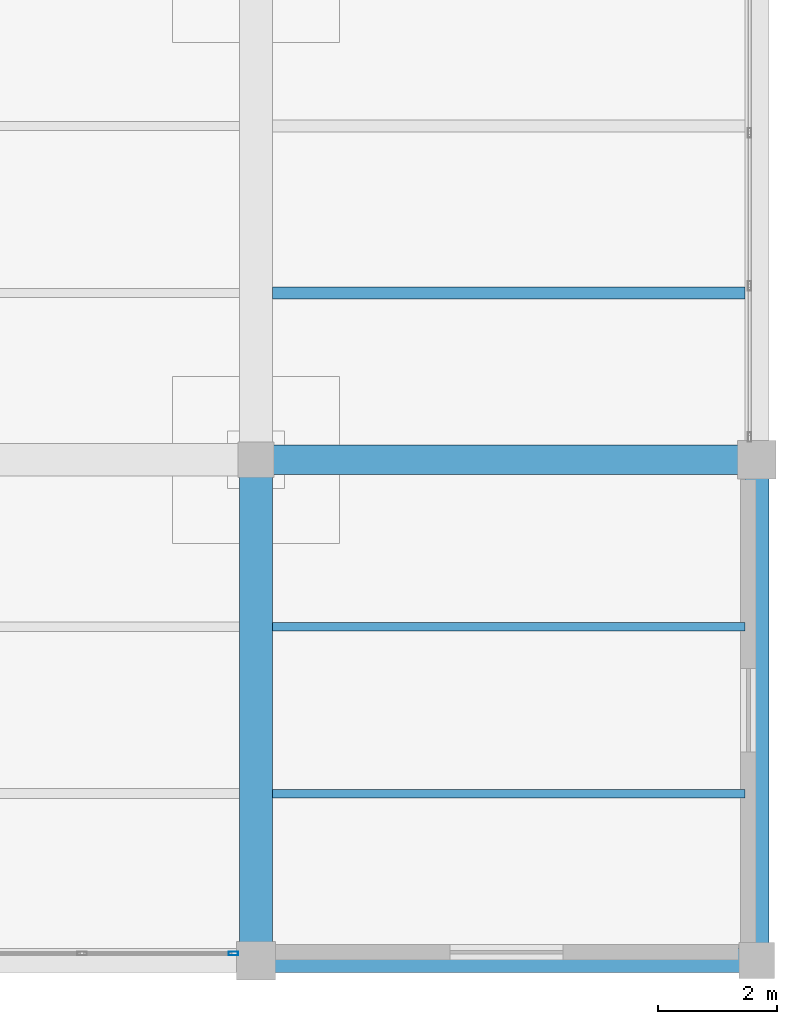
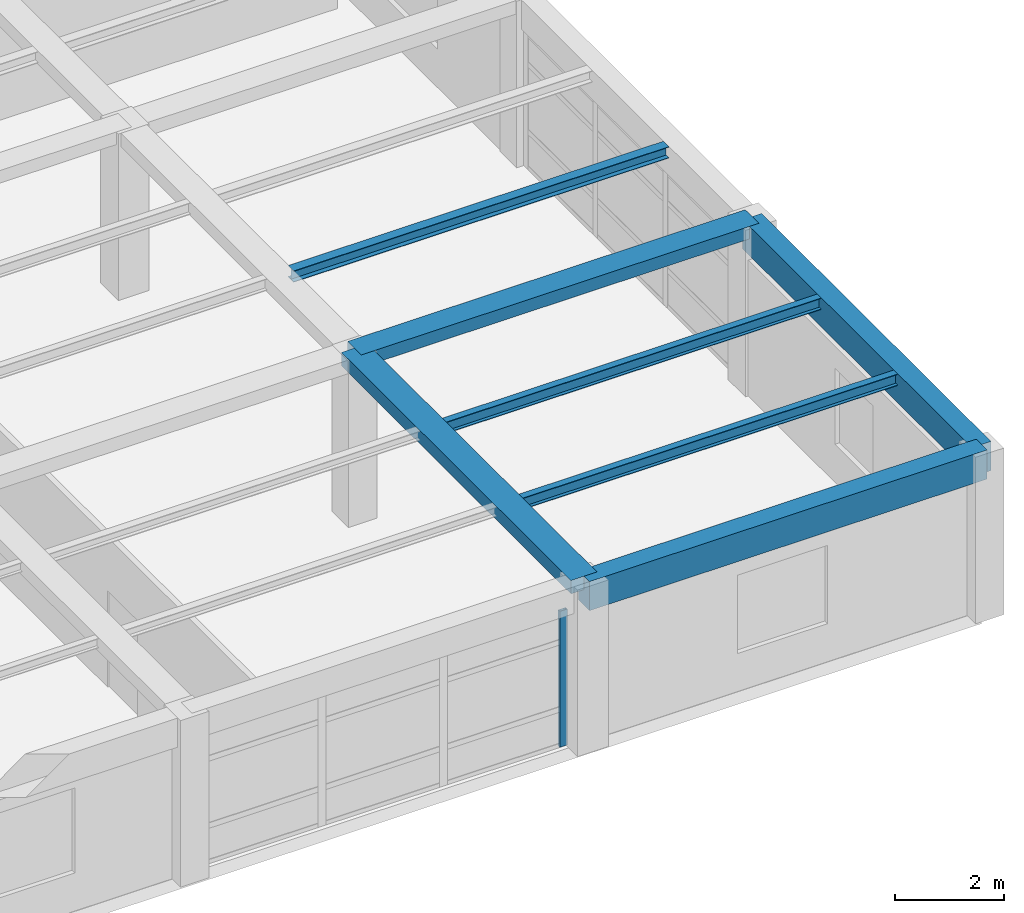
# One storey, part 13 of 26: 7 beams, 1 member, 1 element without a shape of its own.
"""IFC4 building model written with IfcOpenShell, lengths in metres."""

from ifc_helpers import new_model, si_unit, direction, frame, origin, origin_2d, place, context, subcontext, project, spatial, rectangle, hollow_rectangle, i_section, extrude, material, material_profile, profile_set, type_object, element, aggregate, save


model = new_model("IFC4")

# Units and contexts
model_context = context("Model", 3, precision=1e-05, world=origin(), true_north=direction((0.0, 1.0)))
body_context = subcontext(model_context, "Body", "Model", "MODEL_VIEW")
ifc_project = project(units=[si_unit("LENGTHUNIT", "METRE"), si_unit("AREAUNIT", "SQUARE_METRE"), si_unit("VOLUMEUNIT", "CUBIC_METRE"), si_unit("PLANEANGLEUNIT", "RADIAN"), si_unit("MASSUNIT", "GRAM", prefix="KILO")], contexts=[model_context])

# Site, building, storey
site_placement = place(None, origin())
site = spatial("IfcSite", under=ifc_project, at=site_placement, CompositionType="ELEMENT")
building_placement = place(site_placement, origin())
building = spatial("IfcBuilding", under=site, at=building_placement, Name="Almacenes y Pasaje Nevantli", CompositionType="ELEMENT")
storey_placement = place(building_placement, frame((0.0, 0.0, 46.699951171875)))
storey = spatial("IfcBuildingStorey", under=building, at=storey_placement, Name="L11", CompositionType="ELEMENT", Elevation=46.699951171875)

# Beams
ifc_material_1 = material(Name="Concrete C35/45", Category="concrete")
ifc_material_profile_1 = material_profile(ifc_material_1, rectangle(XDim=0.39990234375, YDim=0.64990234375, at=origin_2d()), Name="RC-BM-400x650")
ifc_profile_set_1 = profile_set([ifc_material_profile_1], Name="Concrete C35/45")
beam_type_1 = type_object("IfcBeamType", Name="BM-RC-400x650", PredefinedType="SPANDREL", material=ifc_profile_set_1)
for number, where, z_axis, x_axis, name in (
    (1, (151.199951171875, 67.199951171875, 3.39501953125), (1.0, 0.0, 0.0), (0.0, 1.0, 0.0), "L11 East-West Reinforced Concrete Beam #3848"),
    (2, (159.60009765625, 67.199951171875, 3.39501953125), (0.0, 1.0, 0.0), (-1.0, 0.0, 0.0), "L11 North-South Reinforced Concrete Beam #3887"),
):
    element("IfcBeam", number, at=place(storey_placement, frame(where, z_axis=z_axis, x_axis=x_axis)), inside=storey, type_object=beam_type_1, Name=name, PredefinedType="SPANDREL", context=body_context, shape_type="SweptSolid", body=[
        extrude(rectangle(XDim=0.39990234375, YDim=0.64990234375, at=origin_2d()), origin(), (0.0, 0.0, 1.0), 8.400146484375),
    ])
ifc_material_2 = material(Name="Concrete C35/45", Category="concrete")
ifc_material_profile_2 = material_profile(ifc_material_2, rectangle(XDim=0.5, YDim=0.280029296875, at=origin_2d()), Name="RC-BM-500x280")
ifc_profile_set_2 = profile_set([ifc_material_profile_2], Name="Concrete C35/45")
beam_type_2 = type_object("IfcBeamType", Name="BM-RC-500x280", PredefinedType="BEAM", material=ifc_profile_set_2)
beam_1_placement = place(storey_placement, frame((151.199951171875, 75.60009765625, 3.580078125), z_axis=(1.0, 0.0, 0.0), x_axis=(0.0, 1.0, 0.0)))
element("IfcBeam", 3, at=beam_1_placement, inside=storey, type_object=beam_type_2, Name="L11 East-West Reinforced Concrete Beam #3853", PredefinedType="BEAM", context=body_context, shape_type="SweptSolid", body=[
    extrude(rectangle(XDim=0.5, YDim=0.280029296875, at=origin_2d()), origin(), (0.0, 0.0, 1.0), 8.400146484375),
])
ifc_material_3 = material(Name="Concrete C35/45", Category="concrete")
ifc_material_profile_3 = material_profile(ifc_material_3, rectangle(XDim=0.550048828125, YDim=0.300048828125, at=origin_2d()), Name="RC-BM-550x300")
ifc_profile_set_3 = profile_set([ifc_material_profile_3], Name="Concrete C35/45")
beam_type_3 = type_object("IfcBeamType", Name="BM-RC-550x300", PredefinedType="BEAM", material=ifc_profile_set_3)
beam_2_placement = place(storey_placement, frame((151.199951171875, 67.199951171875, 3.570068359375), z_axis=(0.0, 1.0, 0.0), x_axis=(-1.0, 0.0, 0.0)))
element("IfcBeam", 4, at=beam_2_placement, inside=storey, type_object=beam_type_3, Name="L11 North-South Reinforced Concrete Beam #3883", PredefinedType="BEAM", context=body_context, shape_type="SweptSolid", body=[
    extrude(rectangle(XDim=0.550048828125, YDim=0.300048828125, at=origin_2d()), origin(), (0.0, 0.0, 1.0), 8.400146484375),
])
ifc_material_4 = material(Name="Steel ASTM A992", Category="steel")
ifc_material_profile_4 = material_profile(ifc_material_4, i_section(OverallWidth=0.14697265625, OverallDepth=0.257080078125, WebThickness=0.006591796875, FlangeThickness=0.01123046875, at=origin_2d()), Name="IR 254x38.7")
ifc_profile_set_4 = profile_set([ifc_material_profile_4], Name="Steel ASTM A992")
beam_type_4 = type_object("IfcBeamType", Name="BM-STL-IR-254x38p7", PredefinedType="JOIST", material=ifc_profile_set_4)
for number, where, z_axis, x_axis, name in (
    (5, (151.47509765625, 70.0, 3.58349609375), (1.0, 0.0, 0.0), (0.0, 1.0, 0.0), "L11 Secondary Steel Floor Joist #1533"),
    (6, (151.47509765625, 72.800048828125, 3.58349609375), (1.0, 0.0, 0.0), (0.0, 1.0, 0.0), "L11 Secondary Steel Floor Joist #1534"),
):
    element("IfcBeam", number, at=place(storey_placement, frame(where, z_axis=z_axis, x_axis=x_axis)), inside=storey, type_object=beam_type_4, Name=name, PredefinedType="JOIST", context=body_context, shape_type="SweptSolid", body=[
        extrude(i_section(OverallWidth=0.14697265625, OverallDepth=0.257080078125, WebThickness=0.006591796875, FlangeThickness=0.01123046875, at=origin_2d()), origin(), (0.0, 0.0, 1.0), 7.9248046875),
    ])
ifc_material_5 = material(Name="Steel ASTM A992", Category="steel")
ifc_material_profile_5 = material_profile(ifc_material_5, i_section(OverallWidth=0.202880859375, OverallDepth=0.25390625, WebThickness=0.00732421875, FlangeThickness=0.010986328125, at=origin_2d()), Name="IR 254x49.1")
ifc_profile_set_5 = profile_set([ifc_material_profile_5], Name="Steel ASTM A992")
beam_type_5 = type_object("IfcBeamType", Name="BM-STL-IR-254x49p1", PredefinedType="JOIST", material=ifc_profile_set_5)
beam_3_placement = place(storey_placement, frame((151.47509765625, 78.39990234375, 3.5849609375), z_axis=(1.0, 0.0, 0.0), x_axis=(0.0, 1.0, 0.0)))
element("IfcBeam", 7, at=beam_3_placement, inside=storey, type_object=beam_type_5, Name="L11 Secondary Steel Floor Joist #1535", PredefinedType="JOIST", context=body_context, shape_type="SweptSolid", body=[
    extrude(i_section(OverallWidth=0.202880859375, OverallDepth=0.25390625, WebThickness=0.00732421875, FlangeThickness=0.010986328125, at=origin_2d()), origin(), (0.0, 0.0, 1.0), 7.9248046875),
])

# Curtain wall, member
ifc_material_6 = material(Name="Thermally Broken Aluminium and Low-E Glass", Category="aluminium")
curtain_wall_type = type_object("IfcCurtainWallType", Name="CW-UNIT-TOWER", PredefinedType="USERDEFINED", material=ifc_material_6)
curtain_wall_placement = place(storey_placement, origin())
curtain_wall = element("IfcCurtainWall", 8, at=curtain_wall_placement, inside=storey, type_object=curtain_wall_type, Name="L11 Tower South Unitized Curtain Wall Bay 18", ObjectType="UNITIZED CURTAIN WALL", PredefinedType="USERDEFINED")
ifc_material_7 = material(Name="Thermally Broken Anodized Aluminium", Category="aluminium")
ifc_material_profile_6 = material_profile(ifc_material_7, hollow_rectangle(XDim=0.06005859375, YDim=0.159912109375, WallThickness=0.00390625, at=origin_2d()), Name="ALU-MUL-60x160")
ifc_profile_set_6 = profile_set([ifc_material_profile_6], Name="Thermally Broken Anodized Aluminium")
member_type = type_object("IfcMemberType", Name="CW-MUL-180", PredefinedType="MULLION", material=ifc_profile_set_6)
member_placement = place(storey_placement, frame((150.820068359375, 67.320068359375, 0.0), z_axis=(0.0, 0.0, 1.0), x_axis=(0.0, 1.0, 0.0)))
member = element("IfcMember", 9, at=member_placement, type_object=member_type, Name="CW-L11-153 mullion 4", PredefinedType="MULLION", context=body_context, shape_type="SweptSolid", body=[
    extrude(hollow_rectangle(XDim=0.06005859375, YDim=0.159912109375, WallThickness=0.00390625, at=origin_2d()), origin(), (0.0, 0.0, 1.0), 3.0400390625),
])
aggregate(curtain_wall, [member])

save(model, "model.ifc")
